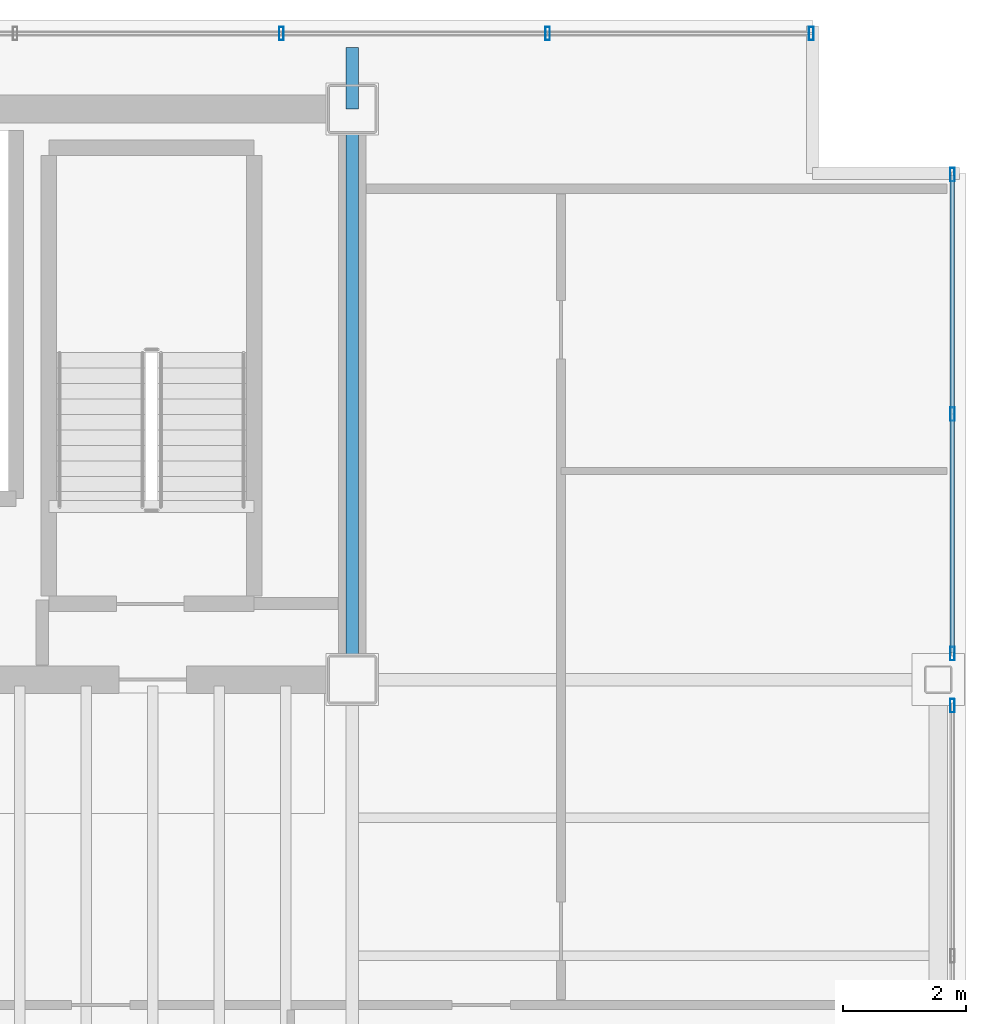
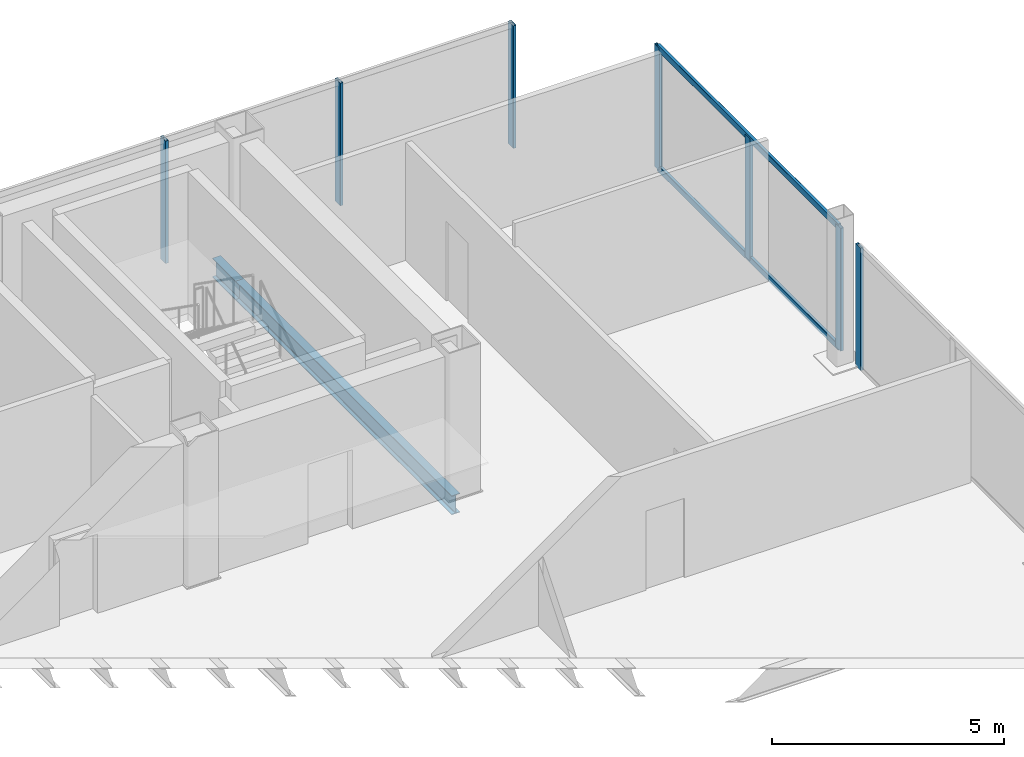
# One storey, part 11 of 15: 9 members, 2 beams, 3 elements without a shape of their own.
"""IFC4 building model written with IfcOpenShell, lengths in metres."""

from ifc_helpers import new_model, si_unit, direction, frame, origin, origin_2d, place, context, subcontext, project, spatial, hollow_rectangle, i_section, extrude, material, material_profile, profile_set, type_object, element, aggregate, save


model = new_model("IFC4")

# Units and contexts
model_context = context("Model", 3, precision=1e-05, world=origin(), true_north=direction((0.0, 1.0)))
body_context = subcontext(model_context, "Body", "Model", "MODEL_VIEW")
ifc_project = project(units=[si_unit("LENGTHUNIT", "METRE"), si_unit("AREAUNIT", "SQUARE_METRE"), si_unit("VOLUMEUNIT", "CUBIC_METRE"), si_unit("PLANEANGLEUNIT", "RADIAN"), si_unit("MASSUNIT", "GRAM", prefix="KILO")], contexts=[model_context])

# Site, building, storey
site_placement = place(None, origin())
site = spatial("IfcSite", under=ifc_project, at=site_placement, CompositionType="ELEMENT")
building_placement = place(site_placement, origin())
building = spatial("IfcBuilding", under=site, at=building_placement, Name="Noeulbin Bourse Tower", CompositionType="ELEMENT")
storey_placement = place(building_placement, frame((0.0, 0.0, 218.89990234375)))
storey = spatial("IfcBuildingStorey", under=building, at=storey_placement, Name="L54", CompositionType="ELEMENT", Elevation=218.89990234375)

# Beams
ifc_material_1 = material(Name="Steel S355", Category="steel")
ifc_material_profile_1 = material_profile(ifc_material_1, i_section(OverallWidth=0.199951171875, OverallDepth=0.5, WebThickness=0.010009765625, FlangeThickness=0.01611328125, FilletRadius=0.02001953125, at=origin_2d()), Name="H-500x200x10x16", Category="LoadBearing")
ifc_profile_set_1 = profile_set([ifc_material_profile_1], Name="Steel S355")
beam_type = type_object("IfcBeamType", Name="BM-GRD-500", PredefinedType="USERDEFINED", material=ifc_profile_set_1)
beam_1_placement = place(storey_placement, frame((44.0, 29.0, -0.429931640625), z_axis=(0.0, 1.0, 0.0), x_axis=(-1.0, 0.0, 0.0)))
element("IfcBeam", 1, at=beam_1_placement, inside=storey, type_object=beam_type, Name="Tower Primary Girder NS L54-5.3", ObjectType="GIRDER", PredefinedType="USERDEFINED", context=body_context, shape_type="SweptSolid", body=[
    extrude(i_section(OverallWidth=0.199951171875, OverallDepth=0.5, WebThickness=0.010009765625, FlangeThickness=0.01611328125, FilletRadius=0.02001953125, at=origin_2d()), origin(), (0.0, 0.0, 1.0), 9.300048828125),
])
beam_2_placement = place(storey_placement, frame((44.0, 38.300048828125, -0.429931640625), z_axis=(0.0, 1.0, 0.0), x_axis=(-1.0, 0.0, 0.0)))
element("IfcBeam", 2, at=beam_2_placement, inside=storey, type_object=beam_type, Name="Tower Primary Girder NS L54-5.4", ObjectType="GIRDER", PredefinedType="USERDEFINED", context=body_context, shape_type="SweptSolid", body=[
    extrude(i_section(OverallWidth=0.199951171875, OverallDepth=0.5, WebThickness=0.010009765625, FlangeThickness=0.01611328125, FilletRadius=0.02001953125, at=origin_2d()), origin(), (0.0, 0.0, 1.0), 1.0),
])

# Curtain wall, members
ifc_material_2 = material(Name="High-Selectivity Low-Iron Glazing", Category="glass")
curtain_wall_type = type_object("IfcCurtainWallType", Name="CW-SYS-4", PredefinedType="NOTDEFINED", material=ifc_material_2)
curtain_wall_1_placement = place(storey_placement, origin())
curtain_wall_1 = element("IfcCurtainWall", 3, at=curtain_wall_1_placement, inside=storey, type_object=curtain_wall_type, Name="Unitised Curtain Wall CW-L54-N", PredefinedType="NOTDEFINED")
ifc_material_3 = material(Name="Anodised Aluminium 6063-T6", Category="aluminium")
ifc_material_profile_2 = material_profile(ifc_material_3, hollow_rectangle(XDim=0.074951171875, YDim=0.219970703125, WallThickness=0.0048828125, InnerFilletRadius=0.00244140625, OuterFilletRadius=0.0048828125, at=origin_2d()), Name="ALU-MULL-75x220x5", Category="LoadBearing")
ifc_profile_set_2 = profile_set([ifc_material_profile_2], Name="Anodised Aluminium 6063-T6")
member_type_1 = type_object("IfcMemberType", Name="CW-SYS-4-MUL", PredefinedType="MULLION", material=ifc_profile_set_2)
member_1_placement = place(storey_placement, frame((42.844482421875, 39.530029296875, -0.02001953125), z_axis=(0.0, 0.0, 1.0), x_axis=(1.0, 0.0, 0.0)))
member_1 = element("IfcMember", 4, at=member_1_placement, type_object=member_type_1, Name="Curtain Wall Mullion CW-L54-N-M07", PredefinedType="MULLION", context=body_context, shape_type="SweptSolid", body=[
    extrude(hollow_rectangle(XDim=0.074951171875, YDim=0.219970703125, WallThickness=0.0048828125, InnerFilletRadius=0.00244140625, OuterFilletRadius=0.0048828125, at=origin_2d()), origin(), (0.0, 0.0, 1.0), 3.22021484375),
])
member_2_placement = place(storey_placement, frame((47.18212890625, 39.530029296875, -0.02001953125), z_axis=(0.0, 0.0, 1.0), x_axis=(1.0, 0.0, 0.0)))
member_2 = element("IfcMember", 5, at=member_2_placement, type_object=member_type_1, Name="Curtain Wall Mullion CW-L54-N-M08", PredefinedType="MULLION", context=body_context, shape_type="SweptSolid", body=[
    extrude(hollow_rectangle(XDim=0.074951171875, YDim=0.219970703125, WallThickness=0.0048828125, InnerFilletRadius=0.00244140625, OuterFilletRadius=0.0048828125, at=origin_2d()), origin(), (0.0, 0.0, 1.0), 3.22021484375),
])
member_3_placement = place(storey_placement, frame((51.47998046875, 39.530029296875, -0.02001953125), z_axis=(0.0, 0.0, 1.0), x_axis=(1.0, 0.0, 0.0)))
member_3 = element("IfcMember", 6, at=member_3_placement, type_object=member_type_1, Name="Curtain Wall Mullion CW-L54-N-M09", PredefinedType="MULLION", context=body_context, shape_type="SweptSolid", body=[
    extrude(hollow_rectangle(XDim=0.074951171875, YDim=0.219970703125, WallThickness=0.0048828125, InnerFilletRadius=0.00244140625, OuterFilletRadius=0.0048828125, at=origin_2d()), origin(), (0.0, 0.0, 1.0), 3.22021484375),
])
aggregate(curtain_wall_1, [member_1, member_2, member_3])

# Curtain wall, member
curtain_wall_2_placement = place(storey_placement, origin())
curtain_wall_2 = element("IfcCurtainWall", 7, at=curtain_wall_2_placement, inside=storey, type_object=curtain_wall_type, Name="Unitised Curtain Wall CW-L54-E-S2", PredefinedType="NOTDEFINED")
member_4_placement = place(storey_placement, frame((53.780029296875, 28.574951171875, -0.02001953125), z_axis=(0.0, 0.0, 1.0), x_axis=(1.0, 0.0, 0.0)))
member_4 = element("IfcMember", 8, at=member_4_placement, type_object=member_type_1, Name="Curtain Wall Mullion CW-L54-E-S2-M02", PredefinedType="MULLION", context=body_context, shape_type="SweptSolid", body=[
    extrude(hollow_rectangle(XDim=0.074951171875, YDim=0.219970703125, WallThickness=0.0048828125, InnerFilletRadius=0.00244140625, OuterFilletRadius=0.0048828125, at=origin_2d()), origin(), (0.0, 0.0, 1.0), 3.22021484375),
])
aggregate(curtain_wall_2, [member_4])

# Curtain wall, members
curtain_wall_3_placement = place(storey_placement, origin())
curtain_wall_3 = element("IfcCurtainWall", 9, at=curtain_wall_3_placement, inside=storey, type_object=curtain_wall_type, Name="Unitised Curtain Wall CW-L54-E-S3", PredefinedType="NOTDEFINED")
member_5_placement = place(storey_placement, frame((53.780029296875, 29.425048828125, -0.02001953125), z_axis=(0.0, 0.0, 1.0), x_axis=(1.0, 0.0, 0.0)))
member_5 = element("IfcMember", 10, at=member_5_placement, type_object=member_type_1, Name="Curtain Wall Mullion CW-L54-E-S3-M00", PredefinedType="MULLION", context=body_context, shape_type="SweptSolid", body=[
    extrude(hollow_rectangle(XDim=0.074951171875, YDim=0.219970703125, WallThickness=0.0048828125, InnerFilletRadius=0.00244140625, OuterFilletRadius=0.0048828125, at=origin_2d()), origin(), (0.0, 0.0, 1.0), 3.22021484375),
])
member_6_placement = place(storey_placement, frame((53.780029296875, 33.327392578125, -0.02001953125), z_axis=(0.0, 0.0, 1.0), x_axis=(1.0, 0.0, 0.0)))
member_6 = element("IfcMember", 11, at=member_6_placement, type_object=member_type_1, Name="Curtain Wall Mullion CW-L54-E-S3-M01", PredefinedType="MULLION", context=body_context, shape_type="SweptSolid", body=[
    extrude(hollow_rectangle(XDim=0.074951171875, YDim=0.219970703125, WallThickness=0.0048828125, InnerFilletRadius=0.00244140625, OuterFilletRadius=0.0048828125, at=origin_2d()), origin(), (0.0, 0.0, 1.0), 3.22021484375),
])
member_7_placement = place(storey_placement, frame((53.780029296875, 37.22998046875, -0.02001953125), z_axis=(0.0, 0.0, 1.0), x_axis=(1.0, 0.0, 0.0)))
member_7 = element("IfcMember", 12, at=member_7_placement, type_object=member_type_1, Name="Curtain Wall Mullion CW-L54-E-S3-M02", PredefinedType="MULLION", context=body_context, shape_type="SweptSolid", body=[
    extrude(hollow_rectangle(XDim=0.074951171875, YDim=0.219970703125, WallThickness=0.0048828125, InnerFilletRadius=0.00244140625, OuterFilletRadius=0.0048828125, at=origin_2d()), origin(), (0.0, 0.0, 1.0), 3.22021484375),
])
ifc_material_profile_3 = material_profile(ifc_material_3, hollow_rectangle(XDim=0.074951171875, YDim=0.159912109375, WallThickness=0.0048828125, InnerFilletRadius=0.00244140625, OuterFilletRadius=0.0048828125, at=origin_2d()), Name="ALU-TRAN-75x160x5", Category="LoadBearing")
ifc_profile_set_3 = profile_set([ifc_material_profile_3], Name="Anodised Aluminium 6063-T6")
member_type_2 = type_object("IfcMemberType", Name="CW-SYS-4-TRN", PredefinedType="USERDEFINED", material=ifc_profile_set_3)
member_8_placement = place(storey_placement, frame((53.780029296875, 29.43505859375, 0.010009765625), z_axis=(0.0, 1.0, 0.0), x_axis=(-1.0, 0.0, 0.0)))
member_8 = element("IfcMember", 13, at=member_8_placement, type_object=member_type_2, Name="Curtain Wall Transom CW-L54-E-S3-T00", ObjectType="TRANSOM", PredefinedType="USERDEFINED", context=body_context, shape_type="SweptSolid", body=[
    extrude(hollow_rectangle(XDim=0.074951171875, YDim=0.159912109375, WallThickness=0.0048828125, InnerFilletRadius=0.00244140625, OuterFilletRadius=0.0048828125, at=origin_2d()), origin(), (0.0, 0.0, 1.0), 7.784912109375),
])
member_9_placement = place(storey_placement, frame((53.780029296875, 29.43505859375, 3.170166015625), z_axis=(0.0, 1.0, 0.0), x_axis=(-1.0, 0.0, 0.0)))
member_9 = element("IfcMember", 14, at=member_9_placement, type_object=member_type_2, Name="Curtain Wall Transom CW-L54-E-S3-T01", ObjectType="TRANSOM", PredefinedType="USERDEFINED", context=body_context, shape_type="SweptSolid", body=[
    extrude(hollow_rectangle(XDim=0.074951171875, YDim=0.159912109375, WallThickness=0.0048828125, InnerFilletRadius=0.00244140625, OuterFilletRadius=0.0048828125, at=origin_2d()), origin(), (0.0, 0.0, 1.0), 7.784912109375),
])
aggregate(curtain_wall_3, [member_5, member_6, member_7, member_8, member_9])

save(model, "model.ifc")
